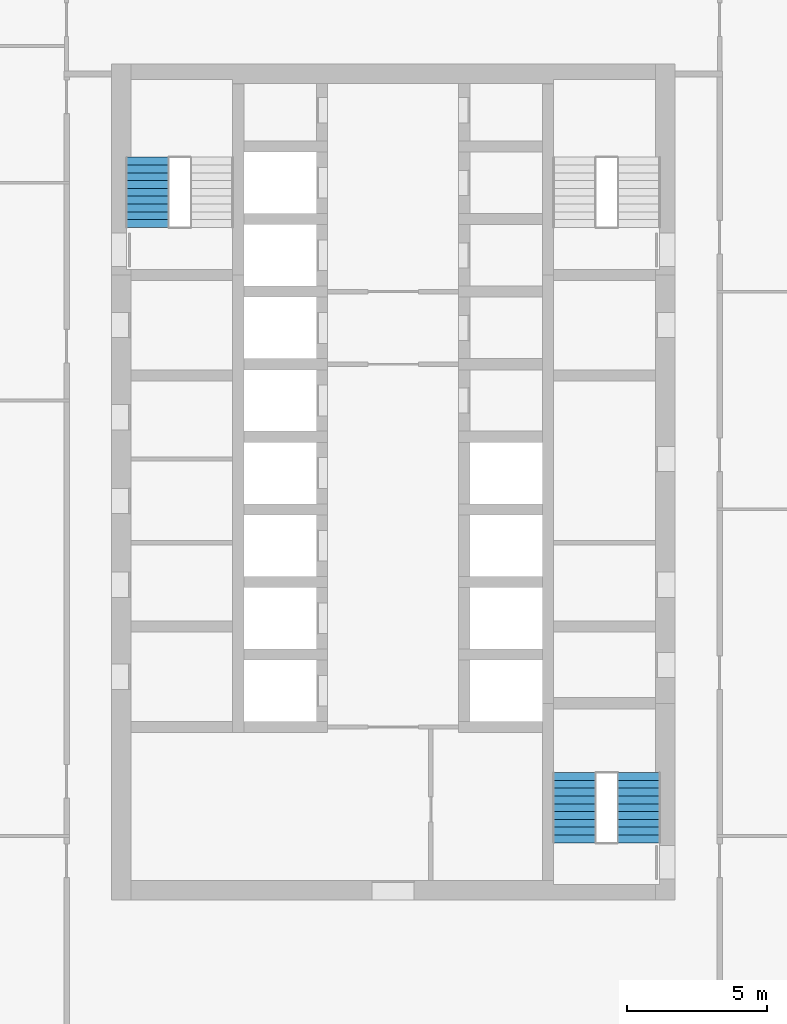
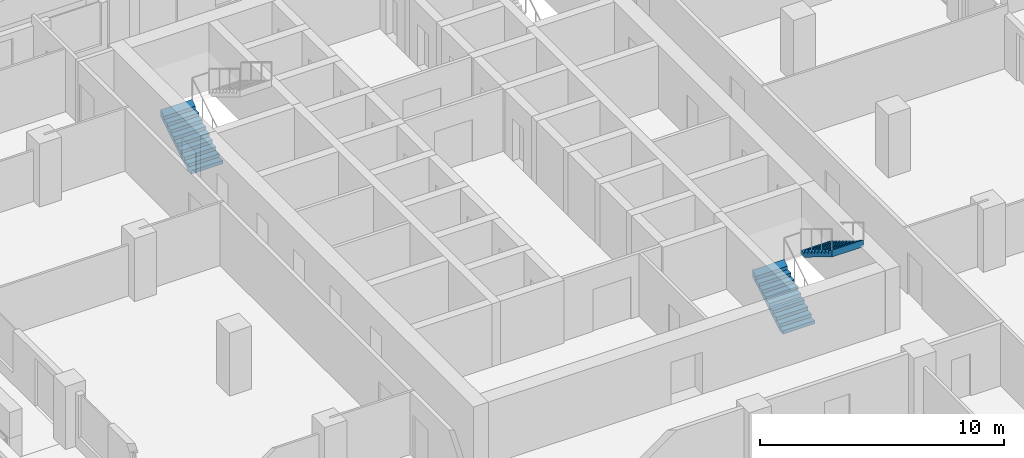
# One storey, part 15 of 21: 3 stair flights, 2 elements without a shape of their own.
"""IFC4 building model written with IfcOpenShell, lengths in metres."""

from ifc_helpers import new_model, si_unit, direction, frame, origin, place, context, subcontext, project, spatial, triangles, material, type_object, element, aggregate, save


model = new_model("IFC4")

# Units and contexts
model_context = context("Model", 3, precision=1e-05, world=origin(), true_north=direction((0.0, 1.0)))
body_context = subcontext(model_context, "Body", "Model", "MODEL_VIEW")
ifc_project = project(units=[si_unit("LENGTHUNIT", "METRE"), si_unit("AREAUNIT", "SQUARE_METRE"), si_unit("VOLUMEUNIT", "CUBIC_METRE"), si_unit("PLANEANGLEUNIT", "RADIAN"), si_unit("MASSUNIT", "GRAM", prefix="KILO")], contexts=[model_context])

# Site, building, storey
site_placement = place(None, origin())
site = spatial("IfcSite", under=ifc_project, at=site_placement, CompositionType="ELEMENT")
building_placement = place(site_placement, origin())
building = spatial("IfcBuilding", under=site, at=building_placement, Name="Ludao Terraces", CompositionType="ELEMENT")
storey_placement = place(building_placement, frame((0.0, 0.0, 71.60009765625)))
storey = spatial("IfcBuildingStorey", under=building, at=storey_placement, Name="L19", CompositionType="ELEMENT", Elevation=71.60009765625)

# Stair, stair flight
ifc_material = material(Name="Concrete C40", Category="concrete")
stair_type = type_object("IfcStairType", Name="INT Stair", PredefinedType="HALF_TURN_STAIR", material=ifc_material)
stair_1_placement = place(storey_placement, origin())
stair_1 = element("IfcStair", 1, at=stair_1_placement, inside=storey, type_object=stair_type, Name="EXIT STAIR 1", PredefinedType="HALF_TURN_STAIR")
stair_flight_type = type_object("IfcStairFlightType", Name="INT Stair flight", PredefinedType="STRAIGHT", material=ifc_material)
stair_flight_1_placement = place(storey_placement, frame((76.199951171875, 79.0, 0.0), z_axis=(0.0, 0.0, 1.0), x_axis=(0.0, 1.0, 0.0)))
stair_flight_1 = element("IfcStairFlight", 2, at=stair_flight_1_placement, type_object=stair_flight_type, Name="ST1 flight 1", NumberOfRisers=10, NumberOfTreads=9, PredefinedType="STRAIGHT", RiserHeight=0.17, TreadLength=0.28, context=body_context, shape_type="Tessellation", body=[
    triangles([(0.0, -0.75, 0.0), (0.0, -0.5, 0.0), (0.0, -0.25, 0.0), (0.0, 0.0, 0.0), (0.0, 0.25, 0.0), (0.0, 0.5, 0.0), (0.0, 0.75, 0.0), (0.0, -0.75, 0.169921875), (0.0, -0.5, 0.169921875), (0.0, -0.25, 0.169921875), (0.0, 0.0, 0.169921875), (0.0, 0.25, 0.169921875), (0.0, 0.5, 0.169921875), (0.0, 0.75, 0.169921875), (0.280029296875, -0.75, 0.169921875), (0.280029296875, -0.5, 0.169921875), (0.280029296875, -0.25, 0.169921875), (0.280029296875, 0.0, 0.169921875), (0.280029296875, 0.25, 0.169921875), (0.280029296875, 0.5, 0.169921875), (0.280029296875, 0.75, 0.169921875), (0.280029296875, -0.75, 0.340087890625), (0.280029296875, -0.5, 0.340087890625), (0.280029296875, -0.25, 0.340087890625), (0.280029296875, 0.0, 0.340087890625), (0.280029296875, 0.25, 0.340087890625), (0.280029296875, 0.5, 0.340087890625), (0.280029296875, 0.75, 0.340087890625), (0.56005859375, -0.75, 0.340087890625), (0.56005859375, -0.5, 0.340087890625), (0.56005859375, -0.25, 0.340087890625), (0.56005859375, 0.0, 0.340087890625), (0.56005859375, 0.25, 0.340087890625), (0.56005859375, 0.5, 0.340087890625), (0.56005859375, 0.75, 0.340087890625), (0.56005859375, -0.75, 0.510009765625), (0.56005859375, -0.5, 0.510009765625), (0.56005859375, -0.25, 0.510009765625), (0.56005859375, 0.0, 0.510009765625), (0.56005859375, 0.25, 0.510009765625), (0.56005859375, 0.5, 0.510009765625), (0.56005859375, 0.75, 0.510009765625), (0.840087890625, -0.75, 0.510009765625), (0.840087890625, -0.5, 0.510009765625), (0.840087890625, -0.25, 0.510009765625), (0.840087890625, 0.0, 0.510009765625), (0.840087890625, 0.25, 0.510009765625), (0.840087890625, 0.5, 0.510009765625), (0.840087890625, 0.75, 0.510009765625), (0.840087890625, -0.75, 0.679931640625), (0.840087890625, -0.5, 0.679931640625), (0.840087890625, -0.25, 0.679931640625), (0.840087890625, 0.0, 0.679931640625), (0.840087890625, 0.25, 0.679931640625), (0.840087890625, 0.5, 0.679931640625), (0.840087890625, 0.75, 0.679931640625), (1.1201171875, -0.75, 0.679931640625), (1.1201171875, -0.5, 0.679931640625), (1.1201171875, -0.25, 0.679931640625), (1.1201171875, 0.0, 0.679931640625), (1.1201171875, 0.25, 0.679931640625), (1.1201171875, 0.5, 0.679931640625), (1.1201171875, 0.75, 0.679931640625), (1.1201171875, -0.75, 0.85009765625), (1.1201171875, -0.5, 0.85009765625), (1.1201171875, -0.25, 0.85009765625), (1.1201171875, 0.0, 0.85009765625), (1.1201171875, 0.25, 0.85009765625), (1.1201171875, 0.5, 0.85009765625), (1.1201171875, 0.75, 0.85009765625), (1.39990234375, -0.75, 0.85009765625), (1.39990234375, -0.5, 0.85009765625), (1.39990234375, -0.25, 0.85009765625), (1.39990234375, 0.0, 0.85009765625), (1.39990234375, 0.25, 0.85009765625), (1.39990234375, 0.5, 0.85009765625), (1.39990234375, 0.75, 0.85009765625), (1.39990234375, -0.75, 1.02001953125), (1.39990234375, -0.5, 1.02001953125), (1.39990234375, -0.25, 1.02001953125), (1.39990234375, 0.0, 1.02001953125), (1.39990234375, 0.25, 1.02001953125), (1.39990234375, 0.5, 1.02001953125), (1.39990234375, 0.75, 1.02001953125), (1.679931640625, -0.75, 1.02001953125), (1.679931640625, -0.5, 1.02001953125), (1.679931640625, -0.25, 1.02001953125), (1.679931640625, 0.0, 1.02001953125), (1.679931640625, 0.25, 1.02001953125), (1.679931640625, 0.5, 1.02001953125), (1.679931640625, 0.75, 1.02001953125), (1.679931640625, -0.75, 1.18994140625), (1.679931640625, -0.5, 1.18994140625), (1.679931640625, -0.25, 1.18994140625), (1.679931640625, 0.0, 1.18994140625), (1.679931640625, 0.25, 1.18994140625), (1.679931640625, 0.5, 1.18994140625), (1.679931640625, 0.75, 1.18994140625), (1.9599609375, -0.75, 1.18994140625), (1.9599609375, -0.5, 1.18994140625), (1.9599609375, -0.25, 1.18994140625), (1.9599609375, 0.0, 1.18994140625), (1.9599609375, 0.25, 1.18994140625), (1.9599609375, 0.5, 1.18994140625), (1.9599609375, 0.75, 1.18994140625), (1.9599609375, -0.75, 1.360107421875), (1.9599609375, -0.5, 1.360107421875), (1.9599609375, -0.25, 1.360107421875), (1.9599609375, 0.0, 1.360107421875), (1.9599609375, 0.25, 1.360107421875), (1.9599609375, 0.5, 1.360107421875), (1.9599609375, 0.75, 1.360107421875), (2.239990234375, -0.75, 1.360107421875), (2.239990234375, -0.5, 1.360107421875), (2.239990234375, -0.25, 1.360107421875), (2.239990234375, 0.0, 1.360107421875), (2.239990234375, 0.25, 1.360107421875), (2.239990234375, 0.5, 1.360107421875), (2.239990234375, 0.75, 1.360107421875), (2.239990234375, -0.75, 1.530029296875), (2.239990234375, -0.5, 1.530029296875), (2.239990234375, -0.25, 1.530029296875), (2.239990234375, 0.0, 1.530029296875), (2.239990234375, 0.25, 1.530029296875), (2.239990234375, 0.5, 1.530029296875), (2.239990234375, 0.75, 1.530029296875), (2.52001953125, -0.75, 1.699951171875), (2.52001953125, -0.5, 1.699951171875), (2.52001953125, -0.25, 1.699951171875), (2.52001953125, 0.0, 1.699951171875), (2.52001953125, 0.25, 1.699951171875), (2.52001953125, 0.5, 1.699951171875), (2.52001953125, 0.75, 1.699951171875), (2.52001953125, -0.75, 1.354736328125), (2.52001953125, -0.5, 1.354736328125), (2.52001953125, -0.25, 1.354736328125), (2.52001953125, 0.0, 1.354736328125), (2.52001953125, 0.25, 1.354736328125), (2.52001953125, 0.5, 1.354736328125), (2.52001953125, 0.75, 1.354736328125), (0.288818359375, -0.75, 0.0), (0.288818359375, -0.5, 0.0), (0.288818359375, -0.25, 0.0), (0.288818359375, 0.0, 0.0), (0.288818359375, 0.25, 0.0), (0.288818359375, 0.5, 0.0), (0.288818359375, 0.75, 0.0)], [[1, 141, 134], [7, 140, 147], [134, 127, 120], [140, 126, 133], [134, 120, 113], [140, 119, 126], [134, 113, 106], [140, 112, 119], [134, 106, 99], [140, 105, 112], [99, 92, 85], [105, 91, 98], [134, 99, 85], [140, 91, 105], [85, 78, 71], [91, 77, 84], [134, 85, 71], [140, 77, 91], [71, 64, 57], [77, 63, 70], [134, 71, 57], [140, 63, 77], [57, 50, 43], [63, 49, 56], [134, 57, 43], [140, 49, 63], [43, 36, 29], [49, 35, 42], [134, 43, 29], [140, 35, 49], [29, 22, 15], [35, 21, 28], [134, 29, 15], [140, 21, 35], [1, 134, 15], [7, 21, 140], [15, 8, 1], [21, 7, 14], [1, 9, 2], [1, 8, 9], [2, 10, 3], [2, 9, 10], [3, 11, 4], [3, 10, 11], [4, 12, 5], [4, 11, 12], [5, 13, 6], [5, 12, 13], [6, 14, 7], [6, 13, 14], [8, 16, 9], [8, 15, 16], [9, 17, 10], [9, 16, 17], [10, 18, 11], [10, 17, 18], [11, 19, 12], [11, 18, 19], [12, 20, 13], [12, 19, 20], [13, 21, 14], [13, 20, 21], [15, 23, 16], [15, 22, 23], [16, 24, 17], [16, 23, 24], [17, 25, 18], [17, 24, 25], [18, 26, 19], [18, 25, 26], [19, 27, 20], [19, 26, 27], [20, 28, 21], [20, 27, 28], [22, 30, 23], [22, 29, 30], [23, 31, 24], [23, 30, 31], [24, 32, 25], [24, 31, 32], [25, 33, 26], [25, 32, 33], [26, 34, 27], [26, 33, 34], [27, 35, 28], [27, 34, 35], [29, 37, 30], [29, 36, 37], [30, 38, 31], [30, 37, 38], [31, 39, 32], [31, 38, 39], [32, 40, 33], [32, 39, 40], [33, 41, 34], [33, 40, 41], [34, 42, 35], [34, 41, 42], [36, 44, 37], [36, 43, 44], [37, 45, 38], [37, 44, 45], [38, 46, 39], [38, 45, 46], [39, 47, 40], [39, 46, 47], [40, 48, 41], [40, 47, 48], [41, 49, 42], [41, 48, 49], [43, 51, 44], [43, 50, 51], [44, 52, 45], [44, 51, 52], [45, 53, 46], [45, 52, 53], [46, 54, 47], [46, 53, 54], [47, 55, 48], [47, 54, 55], [48, 56, 49], [48, 55, 56], [50, 58, 51], [50, 57, 58], [51, 59, 52], [51, 58, 59], [52, 60, 53], [52, 59, 60], [53, 61, 54], [53, 60, 61], [54, 62, 55], [54, 61, 62], [55, 63, 56], [55, 62, 63], [57, 65, 58], [57, 64, 65], [58, 66, 59], [58, 65, 66], [59, 67, 60], [59, 66, 67], [60, 68, 61], [60, 67, 68], [61, 69, 62], [61, 68, 69], [62, 70, 63], [62, 69, 70], [64, 72, 65], [64, 71, 72], [65, 73, 66], [65, 72, 73], [66, 74, 67], [66, 73, 74], [67, 75, 68], [67, 74, 75], [68, 76, 69], [68, 75, 76], [69, 77, 70], [69, 76, 77], [71, 79, 72], [71, 78, 79], [72, 80, 73], [72, 79, 80], [73, 81, 74], [73, 80, 81], [74, 82, 75], [74, 81, 82], [75, 83, 76], [75, 82, 83], [76, 84, 77], [76, 83, 84], [78, 86, 79], [78, 85, 86], [79, 87, 80], [79, 86, 87], [80, 88, 81], [80, 87, 88], [81, 89, 82], [81, 88, 89], [82, 90, 83], [82, 89, 90], [83, 91, 84], [83, 90, 91], [85, 93, 86], [85, 92, 93], [86, 94, 87], [86, 93, 94], [87, 95, 88], [87, 94, 95], [88, 96, 89], [88, 95, 96], [89, 97, 90], [89, 96, 97], [90, 98, 91], [90, 97, 98], [92, 100, 93], [92, 99, 100], [93, 101, 94], [93, 100, 101], [94, 102, 95], [94, 101, 102], [95, 103, 96], [95, 102, 103], [96, 104, 97], [96, 103, 104], [97, 105, 98], [97, 104, 105], [99, 107, 100], [99, 106, 107], [100, 108, 101], [100, 107, 108], [101, 109, 102], [101, 108, 109], [102, 110, 103], [102, 109, 110], [103, 111, 104], [103, 110, 111], [104, 112, 105], [104, 111, 112], [106, 114, 107], [106, 113, 114], [107, 115, 108], [107, 114, 115], [108, 116, 109], [108, 115, 116], [109, 117, 110], [109, 116, 117], [110, 118, 111], [110, 117, 118], [111, 119, 112], [111, 118, 119], [113, 121, 114], [113, 120, 121], [114, 122, 115], [114, 121, 122], [115, 123, 116], [115, 122, 123], [116, 124, 117], [116, 123, 124], [117, 125, 118], [117, 124, 125], [118, 126, 119], [118, 125, 126], [120, 128, 121], [120, 127, 128], [121, 129, 122], [121, 128, 129], [122, 130, 123], [122, 129, 130], [123, 131, 124], [123, 130, 131], [124, 132, 125], [124, 131, 132], [125, 133, 126], [125, 132, 133], [127, 135, 128], [127, 134, 135], [128, 136, 129], [128, 135, 136], [129, 137, 130], [129, 136, 137], [130, 138, 131], [130, 137, 138], [131, 139, 132], [131, 138, 139], [132, 140, 133], [132, 139, 140], [134, 142, 135], [134, 141, 142], [135, 143, 136], [135, 142, 143], [136, 144, 137], [136, 143, 144], [137, 145, 138], [137, 144, 145], [138, 146, 139], [138, 145, 146], [139, 147, 140], [139, 146, 147], [141, 2, 142], [141, 1, 2], [142, 3, 143], [142, 2, 3], [143, 4, 144], [143, 3, 4], [144, 5, 145], [144, 4, 5], [145, 6, 146], [145, 5, 6], [146, 7, 147], [146, 6, 7]], closed=True),
])
aggregate(stair_1, [stair_flight_1])

# Stair, stair flights
stair_2_placement = place(storey_placement, origin())
stair_2 = element("IfcStair", 3, at=stair_2_placement, inside=storey, type_object=stair_type, Name="EXIT STAIR 3", PredefinedType="HALF_TURN_STAIR")
stair_flight_2_placement = place(storey_placement, frame((91.5, 56.949951171875, 0.0), z_axis=(0.0, 0.0, 1.0), x_axis=(0.0, 1.0, 0.0)))
stair_flight_2 = element("IfcStairFlight", 4, at=stair_flight_2_placement, type_object=stair_flight_type, Name="ST3 flight 1", NumberOfRisers=10, NumberOfTreads=9, PredefinedType="STRAIGHT", RiserHeight=0.17, TreadLength=0.28, context=body_context, shape_type="Tessellation", body=[
    triangles([(0.0, -0.75, 0.0), (0.0, -0.5, 0.0), (0.0, -0.25, 0.0), (0.0, 0.0, 0.0), (0.0, 0.25, 0.0), (0.0, 0.5, 0.0), (0.0, 0.75, 0.0), (0.0, -0.75, 0.169921875), (0.0, -0.5, 0.169921875), (0.0, -0.25, 0.169921875), (0.0, 0.0, 0.169921875), (0.0, 0.25, 0.169921875), (0.0, 0.5, 0.169921875), (0.0, 0.75, 0.169921875), (0.280029296875, -0.75, 0.169921875), (0.280029296875, -0.5, 0.169921875), (0.280029296875, -0.25, 0.169921875), (0.280029296875, 0.0, 0.169921875), (0.280029296875, 0.25, 0.169921875), (0.280029296875, 0.5, 0.169921875), (0.280029296875, 0.75, 0.169921875), (0.280029296875, -0.75, 0.340087890625), (0.280029296875, -0.5, 0.340087890625), (0.280029296875, -0.25, 0.340087890625), (0.280029296875, 0.0, 0.340087890625), (0.280029296875, 0.25, 0.340087890625), (0.280029296875, 0.5, 0.340087890625), (0.280029296875, 0.75, 0.340087890625), (0.56005859375, -0.75, 0.340087890625), (0.56005859375, -0.5, 0.340087890625), (0.56005859375, -0.25, 0.340087890625), (0.56005859375, 0.0, 0.340087890625), (0.56005859375, 0.25, 0.340087890625), (0.56005859375, 0.5, 0.340087890625), (0.56005859375, 0.75, 0.340087890625), (0.56005859375, -0.75, 0.510009765625), (0.56005859375, -0.5, 0.510009765625), (0.56005859375, -0.25, 0.510009765625), (0.56005859375, 0.0, 0.510009765625), (0.56005859375, 0.25, 0.510009765625), (0.56005859375, 0.5, 0.510009765625), (0.56005859375, 0.75, 0.510009765625), (0.840087890625, -0.75, 0.510009765625), (0.840087890625, -0.5, 0.510009765625), (0.840087890625, -0.25, 0.510009765625), (0.840087890625, 0.0, 0.510009765625), (0.840087890625, 0.25, 0.510009765625), (0.840087890625, 0.5, 0.510009765625), (0.840087890625, 0.75, 0.510009765625), (0.840087890625, -0.75, 0.679931640625), (0.840087890625, -0.5, 0.679931640625), (0.840087890625, -0.25, 0.679931640625), (0.840087890625, 0.0, 0.679931640625), (0.840087890625, 0.25, 0.679931640625), (0.840087890625, 0.5, 0.679931640625), (0.840087890625, 0.75, 0.679931640625), (1.1201171875, -0.75, 0.679931640625), (1.1201171875, -0.5, 0.679931640625), (1.1201171875, -0.25, 0.679931640625), (1.1201171875, 0.0, 0.679931640625), (1.1201171875, 0.25, 0.679931640625), (1.1201171875, 0.5, 0.679931640625), (1.1201171875, 0.75, 0.679931640625), (1.1201171875, -0.75, 0.85009765625), (1.1201171875, -0.5, 0.85009765625), (1.1201171875, -0.25, 0.85009765625), (1.1201171875, 0.0, 0.85009765625), (1.1201171875, 0.25, 0.85009765625), (1.1201171875, 0.5, 0.85009765625), (1.1201171875, 0.75, 0.85009765625), (1.39990234375, -0.75, 0.85009765625), (1.39990234375, -0.5, 0.85009765625), (1.39990234375, -0.25, 0.85009765625), (1.39990234375, 0.0, 0.85009765625), (1.39990234375, 0.25, 0.85009765625), (1.39990234375, 0.5, 0.85009765625), (1.39990234375, 0.75, 0.85009765625), (1.39990234375, -0.75, 1.02001953125), (1.39990234375, -0.5, 1.02001953125), (1.39990234375, -0.25, 1.02001953125), (1.39990234375, 0.0, 1.02001953125), (1.39990234375, 0.25, 1.02001953125), (1.39990234375, 0.5, 1.02001953125), (1.39990234375, 0.75, 1.02001953125), (1.679931640625, -0.75, 1.02001953125), (1.679931640625, -0.5, 1.02001953125), (1.679931640625, -0.25, 1.02001953125), (1.679931640625, 0.0, 1.02001953125), (1.679931640625, 0.25, 1.02001953125), (1.679931640625, 0.5, 1.02001953125), (1.679931640625, 0.75, 1.02001953125), (1.679931640625, -0.75, 1.18994140625), (1.679931640625, -0.5, 1.18994140625), (1.679931640625, -0.25, 1.18994140625), (1.679931640625, 0.0, 1.18994140625), (1.679931640625, 0.25, 1.18994140625), (1.679931640625, 0.5, 1.18994140625), (1.679931640625, 0.75, 1.18994140625), (1.9599609375, -0.75, 1.18994140625), (1.9599609375, -0.5, 1.18994140625), (1.9599609375, -0.25, 1.18994140625), (1.9599609375, 0.0, 1.18994140625), (1.9599609375, 0.25, 1.18994140625), (1.9599609375, 0.5, 1.18994140625), (1.9599609375, 0.75, 1.18994140625), (1.9599609375, -0.75, 1.360107421875), (1.9599609375, -0.5, 1.360107421875), (1.9599609375, -0.25, 1.360107421875), (1.9599609375, 0.0, 1.360107421875), (1.9599609375, 0.25, 1.360107421875), (1.9599609375, 0.5, 1.360107421875), (1.9599609375, 0.75, 1.360107421875), (2.239990234375, -0.75, 1.360107421875), (2.239990234375, -0.5, 1.360107421875), (2.239990234375, -0.25, 1.360107421875), (2.239990234375, 0.0, 1.360107421875), (2.239990234375, 0.25, 1.360107421875), (2.239990234375, 0.5, 1.360107421875), (2.239990234375, 0.75, 1.360107421875), (2.239990234375, -0.75, 1.530029296875), (2.239990234375, -0.5, 1.530029296875), (2.239990234375, -0.25, 1.530029296875), (2.239990234375, 0.0, 1.530029296875), (2.239990234375, 0.25, 1.530029296875), (2.239990234375, 0.5, 1.530029296875), (2.239990234375, 0.75, 1.530029296875), (2.52001953125, -0.75, 1.699951171875), (2.52001953125, -0.5, 1.699951171875), (2.52001953125, -0.25, 1.699951171875), (2.52001953125, 0.0, 1.699951171875), (2.52001953125, 0.25, 1.699951171875), (2.52001953125, 0.5, 1.699951171875), (2.52001953125, 0.75, 1.699951171875), (2.52001953125, -0.75, 1.354736328125), (2.52001953125, -0.5, 1.354736328125), (2.52001953125, -0.25, 1.354736328125), (2.52001953125, 0.0, 1.354736328125), (2.52001953125, 0.25, 1.354736328125), (2.52001953125, 0.5, 1.354736328125), (2.52001953125, 0.75, 1.354736328125), (0.288818359375, -0.75, 0.0), (0.288818359375, -0.5, 0.0), (0.288818359375, -0.25, 0.0), (0.288818359375, 0.0, 0.0), (0.288818359375, 0.25, 0.0), (0.288818359375, 0.5, 0.0), (0.288818359375, 0.75, 0.0)], [[1, 141, 134], [7, 140, 147], [134, 127, 120], [140, 126, 133], [134, 120, 113], [140, 119, 126], [134, 113, 106], [140, 112, 119], [134, 106, 99], [140, 105, 112], [99, 92, 85], [105, 91, 98], [134, 99, 85], [140, 91, 105], [85, 78, 71], [91, 77, 84], [134, 85, 71], [140, 77, 91], [71, 64, 57], [77, 63, 70], [134, 71, 57], [140, 63, 77], [57, 50, 43], [63, 49, 56], [134, 57, 43], [140, 49, 63], [43, 36, 29], [49, 35, 42], [134, 43, 29], [140, 35, 49], [29, 22, 15], [35, 21, 28], [134, 29, 15], [140, 21, 35], [1, 134, 15], [7, 21, 140], [15, 8, 1], [21, 7, 14], [1, 9, 2], [1, 8, 9], [2, 10, 3], [2, 9, 10], [3, 11, 4], [3, 10, 11], [4, 12, 5], [4, 11, 12], [5, 13, 6], [5, 12, 13], [6, 14, 7], [6, 13, 14], [8, 16, 9], [8, 15, 16], [9, 17, 10], [9, 16, 17], [10, 18, 11], [10, 17, 18], [11, 19, 12], [11, 18, 19], [12, 20, 13], [12, 19, 20], [13, 21, 14], [13, 20, 21], [15, 23, 16], [15, 22, 23], [16, 24, 17], [16, 23, 24], [17, 25, 18], [17, 24, 25], [18, 26, 19], [18, 25, 26], [19, 27, 20], [19, 26, 27], [20, 28, 21], [20, 27, 28], [22, 30, 23], [22, 29, 30], [23, 31, 24], [23, 30, 31], [24, 32, 25], [24, 31, 32], [25, 33, 26], [25, 32, 33], [26, 34, 27], [26, 33, 34], [27, 35, 28], [27, 34, 35], [29, 37, 30], [29, 36, 37], [30, 38, 31], [30, 37, 38], [31, 39, 32], [31, 38, 39], [32, 40, 33], [32, 39, 40], [33, 41, 34], [33, 40, 41], [34, 42, 35], [34, 41, 42], [36, 44, 37], [36, 43, 44], [37, 45, 38], [37, 44, 45], [38, 46, 39], [38, 45, 46], [39, 47, 40], [39, 46, 47], [40, 48, 41], [40, 47, 48], [41, 49, 42], [41, 48, 49], [43, 51, 44], [43, 50, 51], [44, 52, 45], [44, 51, 52], [45, 53, 46], [45, 52, 53], [46, 54, 47], [46, 53, 54], [47, 55, 48], [47, 54, 55], [48, 56, 49], [48, 55, 56], [50, 58, 51], [50, 57, 58], [51, 59, 52], [51, 58, 59], [52, 60, 53], [52, 59, 60], [53, 61, 54], [53, 60, 61], [54, 62, 55], [54, 61, 62], [55, 63, 56], [55, 62, 63], [57, 65, 58], [57, 64, 65], [58, 66, 59], [58, 65, 66], [59, 67, 60], [59, 66, 67], [60, 68, 61], [60, 67, 68], [61, 69, 62], [61, 68, 69], [62, 70, 63], [62, 69, 70], [64, 72, 65], [64, 71, 72], [65, 73, 66], [65, 72, 73], [66, 74, 67], [66, 73, 74], [67, 75, 68], [67, 74, 75], [68, 76, 69], [68, 75, 76], [69, 77, 70], [69, 76, 77], [71, 79, 72], [71, 78, 79], [72, 80, 73], [72, 79, 80], [73, 81, 74], [73, 80, 81], [74, 82, 75], [74, 81, 82], [75, 83, 76], [75, 82, 83], [76, 84, 77], [76, 83, 84], [78, 86, 79], [78, 85, 86], [79, 87, 80], [79, 86, 87], [80, 88, 81], [80, 87, 88], [81, 89, 82], [81, 88, 89], [82, 90, 83], [82, 89, 90], [83, 91, 84], [83, 90, 91], [85, 93, 86], [85, 92, 93], [86, 94, 87], [86, 93, 94], [87, 95, 88], [87, 94, 95], [88, 96, 89], [88, 95, 96], [89, 97, 90], [89, 96, 97], [90, 98, 91], [90, 97, 98], [92, 100, 93], [92, 99, 100], [93, 101, 94], [93, 100, 101], [94, 102, 95], [94, 101, 102], [95, 103, 96], [95, 102, 103], [96, 104, 97], [96, 103, 104], [97, 105, 98], [97, 104, 105], [99, 107, 100], [99, 106, 107], [100, 108, 101], [100, 107, 108], [101, 109, 102], [101, 108, 109], [102, 110, 103], [102, 109, 110], [103, 111, 104], [103, 110, 111], [104, 112, 105], [104, 111, 112], [106, 114, 107], [106, 113, 114], [107, 115, 108], [107, 114, 115], [108, 116, 109], [108, 115, 116], [109, 117, 110], [109, 116, 117], [110, 118, 111], [110, 117, 118], [111, 119, 112], [111, 118, 119], [113, 121, 114], [113, 120, 121], [114, 122, 115], [114, 121, 122], [115, 123, 116], [115, 122, 123], [116, 124, 117], [116, 123, 124], [117, 125, 118], [117, 124, 125], [118, 126, 119], [118, 125, 126], [120, 128, 121], [120, 127, 128], [121, 129, 122], [121, 128, 129], [122, 130, 123], [122, 129, 130], [123, 131, 124], [123, 130, 131], [124, 132, 125], [124, 131, 132], [125, 133, 126], [125, 132, 133], [127, 135, 128], [127, 134, 135], [128, 136, 129], [128, 135, 136], [129, 137, 130], [129, 136, 137], [130, 138, 131], [130, 137, 138], [131, 139, 132], [131, 138, 139], [132, 140, 133], [132, 139, 140], [134, 142, 135], [134, 141, 142], [135, 143, 136], [135, 142, 143], [136, 144, 137], [136, 143, 144], [137, 145, 138], [137, 144, 145], [138, 146, 139], [138, 145, 146], [139, 147, 140], [139, 146, 147], [141, 2, 142], [141, 1, 2], [142, 3, 143], [142, 2, 3], [143, 4, 144], [143, 3, 4], [144, 5, 145], [144, 4, 5], [145, 6, 146], [145, 5, 6], [146, 7, 147], [146, 6, 7]], closed=True),
])
stair_flight_3_placement = place(storey_placement, frame((93.800048828125, 59.469970703125, 1.699951171875), z_axis=(0.0, 0.0, 1.0), x_axis=(0.0, -1.0, 0.0)))
stair_flight_3 = element("IfcStairFlight", 5, at=stair_flight_3_placement, type_object=stair_flight_type, Name="ST3 flight 2", NumberOfRisers=10, NumberOfTreads=9, PredefinedType="STRAIGHT", RiserHeight=0.17, TreadLength=0.28, context=body_context, shape_type="Tessellation", body=[
    triangles([(0.0, -0.75, 0.0), (0.0, -0.5, 0.0), (0.0, -0.25, 0.0), (0.0, 0.0, 0.0), (0.0, 0.25, 0.0), (0.0, 0.5, 0.0), (0.0, 0.75, 0.0), (0.0, -0.75, 0.169921875), (0.0, -0.5, 0.169921875), (0.0, -0.25, 0.169921875), (0.0, 0.0, 0.169921875), (0.0, 0.25, 0.169921875), (0.0, 0.5, 0.169921875), (0.0, 0.75, 0.169921875), (0.280029296875, -0.75, 0.169921875), (0.280029296875, -0.5, 0.169921875), (0.280029296875, -0.25, 0.169921875), (0.280029296875, 0.0, 0.169921875), (0.280029296875, 0.25, 0.169921875), (0.280029296875, 0.5, 0.169921875), (0.280029296875, 0.75, 0.169921875), (0.280029296875, -0.75, 0.340087890625), (0.280029296875, -0.5, 0.340087890625), (0.280029296875, -0.25, 0.340087890625), (0.280029296875, 0.0, 0.340087890625), (0.280029296875, 0.25, 0.340087890625), (0.280029296875, 0.5, 0.340087890625), (0.280029296875, 0.75, 0.340087890625), (0.56005859375, -0.75, 0.340087890625), (0.56005859375, -0.5, 0.340087890625), (0.56005859375, -0.25, 0.340087890625), (0.56005859375, 0.0, 0.340087890625), (0.56005859375, 0.25, 0.340087890625), (0.56005859375, 0.5, 0.340087890625), (0.56005859375, 0.75, 0.340087890625), (0.56005859375, -0.75, 0.510009765625), (0.56005859375, -0.5, 0.510009765625), (0.56005859375, -0.25, 0.510009765625), (0.56005859375, 0.0, 0.510009765625), (0.56005859375, 0.25, 0.510009765625), (0.56005859375, 0.5, 0.510009765625), (0.56005859375, 0.75, 0.510009765625), (0.840087890625, -0.75, 0.510009765625), (0.840087890625, -0.5, 0.510009765625), (0.840087890625, -0.25, 0.510009765625), (0.840087890625, 0.0, 0.510009765625), (0.840087890625, 0.25, 0.510009765625), (0.840087890625, 0.5, 0.510009765625), (0.840087890625, 0.75, 0.510009765625), (0.840087890625, -0.75, 0.679931640625), (0.840087890625, -0.5, 0.679931640625), (0.840087890625, -0.25, 0.679931640625), (0.840087890625, 0.0, 0.679931640625), (0.840087890625, 0.25, 0.679931640625), (0.840087890625, 0.5, 0.679931640625), (0.840087890625, 0.75, 0.679931640625), (1.1201171875, -0.75, 0.679931640625), (1.1201171875, -0.5, 0.679931640625), (1.1201171875, -0.25, 0.679931640625), (1.1201171875, 0.0, 0.679931640625), (1.1201171875, 0.25, 0.679931640625), (1.1201171875, 0.5, 0.679931640625), (1.1201171875, 0.75, 0.679931640625), (1.1201171875, -0.75, 0.85009765625), (1.1201171875, -0.5, 0.85009765625), (1.1201171875, -0.25, 0.85009765625), (1.1201171875, 0.0, 0.85009765625), (1.1201171875, 0.25, 0.85009765625), (1.1201171875, 0.5, 0.85009765625), (1.1201171875, 0.75, 0.85009765625), (1.39990234375, -0.75, 0.85009765625), (1.39990234375, -0.5, 0.85009765625), (1.39990234375, -0.25, 0.85009765625), (1.39990234375, 0.0, 0.85009765625), (1.39990234375, 0.25, 0.85009765625), (1.39990234375, 0.5, 0.85009765625), (1.39990234375, 0.75, 0.85009765625), (1.39990234375, -0.75, 1.02001953125), (1.39990234375, -0.5, 1.02001953125), (1.39990234375, -0.25, 1.02001953125), (1.39990234375, 0.0, 1.02001953125), (1.39990234375, 0.25, 1.02001953125), (1.39990234375, 0.5, 1.02001953125), (1.39990234375, 0.75, 1.02001953125), (1.679931640625, -0.75, 1.02001953125), (1.679931640625, -0.5, 1.02001953125), (1.679931640625, -0.25, 1.02001953125), (1.679931640625, 0.0, 1.02001953125), (1.679931640625, 0.25, 1.02001953125), (1.679931640625, 0.5, 1.02001953125), (1.679931640625, 0.75, 1.02001953125), (1.679931640625, -0.75, 1.18994140625), (1.679931640625, -0.5, 1.18994140625), (1.679931640625, -0.25, 1.18994140625), (1.679931640625, 0.0, 1.18994140625), (1.679931640625, 0.25, 1.18994140625), (1.679931640625, 0.5, 1.18994140625), (1.679931640625, 0.75, 1.18994140625), (1.9599609375, -0.75, 1.18994140625), (1.9599609375, -0.5, 1.18994140625), (1.9599609375, -0.25, 1.18994140625), (1.9599609375, 0.0, 1.18994140625), (1.9599609375, 0.25, 1.18994140625), (1.9599609375, 0.5, 1.18994140625), (1.9599609375, 0.75, 1.18994140625), (1.9599609375, -0.75, 1.360107421875), (1.9599609375, -0.5, 1.360107421875), (1.9599609375, -0.25, 1.360107421875), (1.9599609375, 0.0, 1.360107421875), (1.9599609375, 0.25, 1.360107421875), (1.9599609375, 0.5, 1.360107421875), (1.9599609375, 0.75, 1.360107421875), (2.239990234375, -0.75, 1.360107421875), (2.239990234375, -0.5, 1.360107421875), (2.239990234375, -0.25, 1.360107421875), (2.239990234375, 0.0, 1.360107421875), (2.239990234375, 0.25, 1.360107421875), (2.239990234375, 0.5, 1.360107421875), (2.239990234375, 0.75, 1.360107421875), (2.239990234375, -0.75, 1.530029296875), (2.239990234375, -0.5, 1.530029296875), (2.239990234375, -0.25, 1.530029296875), (2.239990234375, 0.0, 1.530029296875), (2.239990234375, 0.25, 1.530029296875), (2.239990234375, 0.5, 1.530029296875), (2.239990234375, 0.75, 1.530029296875), (2.52001953125, -0.75, 1.699951171875), (2.52001953125, -0.5, 1.699951171875), (2.52001953125, -0.25, 1.699951171875), (2.52001953125, 0.0, 1.699951171875), (2.52001953125, 0.25, 1.699951171875), (2.52001953125, 0.5, 1.699951171875), (2.52001953125, 0.75, 1.699951171875), (2.52001953125, -0.75, 1.354736328125), (2.52001953125, -0.5, 1.354736328125), (2.52001953125, -0.25, 1.354736328125), (2.52001953125, 0.0, 1.354736328125), (2.52001953125, 0.25, 1.354736328125), (2.52001953125, 0.5, 1.354736328125), (2.52001953125, 0.75, 1.354736328125), (0.288818359375, -0.75, 0.0), (0.288818359375, -0.5, 0.0), (0.288818359375, -0.25, 0.0), (0.288818359375, 0.0, 0.0), (0.288818359375, 0.25, 0.0), (0.288818359375, 0.5, 0.0), (0.288818359375, 0.75, 0.0)], [[1, 141, 134], [7, 140, 147], [134, 127, 120], [140, 126, 133], [134, 120, 113], [140, 119, 126], [134, 113, 106], [140, 112, 119], [134, 106, 99], [140, 105, 112], [99, 92, 85], [105, 91, 98], [134, 99, 85], [140, 91, 105], [85, 78, 71], [91, 77, 84], [134, 85, 71], [140, 77, 91], [71, 64, 57], [77, 63, 70], [134, 71, 57], [140, 63, 77], [57, 50, 43], [63, 49, 56], [134, 57, 43], [140, 49, 63], [43, 36, 29], [49, 35, 42], [134, 43, 29], [140, 35, 49], [29, 22, 15], [35, 21, 28], [134, 29, 15], [140, 21, 35], [1, 134, 15], [7, 21, 140], [15, 8, 1], [21, 7, 14], [1, 9, 2], [1, 8, 9], [2, 10, 3], [2, 9, 10], [3, 11, 4], [3, 10, 11], [4, 12, 5], [4, 11, 12], [5, 13, 6], [5, 12, 13], [6, 14, 7], [6, 13, 14], [8, 16, 9], [8, 15, 16], [9, 17, 10], [9, 16, 17], [10, 18, 11], [10, 17, 18], [11, 19, 12], [11, 18, 19], [12, 20, 13], [12, 19, 20], [13, 21, 14], [13, 20, 21], [15, 23, 16], [15, 22, 23], [16, 24, 17], [16, 23, 24], [17, 25, 18], [17, 24, 25], [18, 26, 19], [18, 25, 26], [19, 27, 20], [19, 26, 27], [20, 28, 21], [20, 27, 28], [22, 30, 23], [22, 29, 30], [23, 31, 24], [23, 30, 31], [24, 32, 25], [24, 31, 32], [25, 33, 26], [25, 32, 33], [26, 34, 27], [26, 33, 34], [27, 35, 28], [27, 34, 35], [29, 37, 30], [29, 36, 37], [30, 38, 31], [30, 37, 38], [31, 39, 32], [31, 38, 39], [32, 40, 33], [32, 39, 40], [33, 41, 34], [33, 40, 41], [34, 42, 35], [34, 41, 42], [36, 44, 37], [36, 43, 44], [37, 45, 38], [37, 44, 45], [38, 46, 39], [38, 45, 46], [39, 47, 40], [39, 46, 47], [40, 48, 41], [40, 47, 48], [41, 49, 42], [41, 48, 49], [43, 51, 44], [43, 50, 51], [44, 52, 45], [44, 51, 52], [45, 53, 46], [45, 52, 53], [46, 54, 47], [46, 53, 54], [47, 55, 48], [47, 54, 55], [48, 56, 49], [48, 55, 56], [50, 58, 51], [50, 57, 58], [51, 59, 52], [51, 58, 59], [52, 60, 53], [52, 59, 60], [53, 61, 54], [53, 60, 61], [54, 62, 55], [54, 61, 62], [55, 63, 56], [55, 62, 63], [57, 65, 58], [57, 64, 65], [58, 66, 59], [58, 65, 66], [59, 67, 60], [59, 66, 67], [60, 68, 61], [60, 67, 68], [61, 69, 62], [61, 68, 69], [62, 70, 63], [62, 69, 70], [64, 72, 65], [64, 71, 72], [65, 73, 66], [65, 72, 73], [66, 74, 67], [66, 73, 74], [67, 75, 68], [67, 74, 75], [68, 76, 69], [68, 75, 76], [69, 77, 70], [69, 76, 77], [71, 79, 72], [71, 78, 79], [72, 80, 73], [72, 79, 80], [73, 81, 74], [73, 80, 81], [74, 82, 75], [74, 81, 82], [75, 83, 76], [75, 82, 83], [76, 84, 77], [76, 83, 84], [78, 86, 79], [78, 85, 86], [79, 87, 80], [79, 86, 87], [80, 88, 81], [80, 87, 88], [81, 89, 82], [81, 88, 89], [82, 90, 83], [82, 89, 90], [83, 91, 84], [83, 90, 91], [85, 93, 86], [85, 92, 93], [86, 94, 87], [86, 93, 94], [87, 95, 88], [87, 94, 95], [88, 96, 89], [88, 95, 96], [89, 97, 90], [89, 96, 97], [90, 98, 91], [90, 97, 98], [92, 100, 93], [92, 99, 100], [93, 101, 94], [93, 100, 101], [94, 102, 95], [94, 101, 102], [95, 103, 96], [95, 102, 103], [96, 104, 97], [96, 103, 104], [97, 105, 98], [97, 104, 105], [99, 107, 100], [99, 106, 107], [100, 108, 101], [100, 107, 108], [101, 109, 102], [101, 108, 109], [102, 110, 103], [102, 109, 110], [103, 111, 104], [103, 110, 111], [104, 112, 105], [104, 111, 112], [106, 114, 107], [106, 113, 114], [107, 115, 108], [107, 114, 115], [108, 116, 109], [108, 115, 116], [109, 117, 110], [109, 116, 117], [110, 118, 111], [110, 117, 118], [111, 119, 112], [111, 118, 119], [113, 121, 114], [113, 120, 121], [114, 122, 115], [114, 121, 122], [115, 123, 116], [115, 122, 123], [116, 124, 117], [116, 123, 124], [117, 125, 118], [117, 124, 125], [118, 126, 119], [118, 125, 126], [120, 128, 121], [120, 127, 128], [121, 129, 122], [121, 128, 129], [122, 130, 123], [122, 129, 130], [123, 131, 124], [123, 130, 131], [124, 132, 125], [124, 131, 132], [125, 133, 126], [125, 132, 133], [127, 135, 128], [127, 134, 135], [128, 136, 129], [128, 135, 136], [129, 137, 130], [129, 136, 137], [130, 138, 131], [130, 137, 138], [131, 139, 132], [131, 138, 139], [132, 140, 133], [132, 139, 140], [134, 142, 135], [134, 141, 142], [135, 143, 136], [135, 142, 143], [136, 144, 137], [136, 143, 144], [137, 145, 138], [137, 144, 145], [138, 146, 139], [138, 145, 146], [139, 147, 140], [139, 146, 147], [141, 2, 142], [141, 1, 2], [142, 3, 143], [142, 2, 3], [143, 4, 144], [143, 3, 4], [144, 5, 145], [144, 4, 5], [145, 6, 146], [145, 5, 6], [146, 7, 147], [146, 6, 7]], closed=True),
])
aggregate(stair_2, [stair_flight_2, stair_flight_3])

save(model, "model.ifc")
